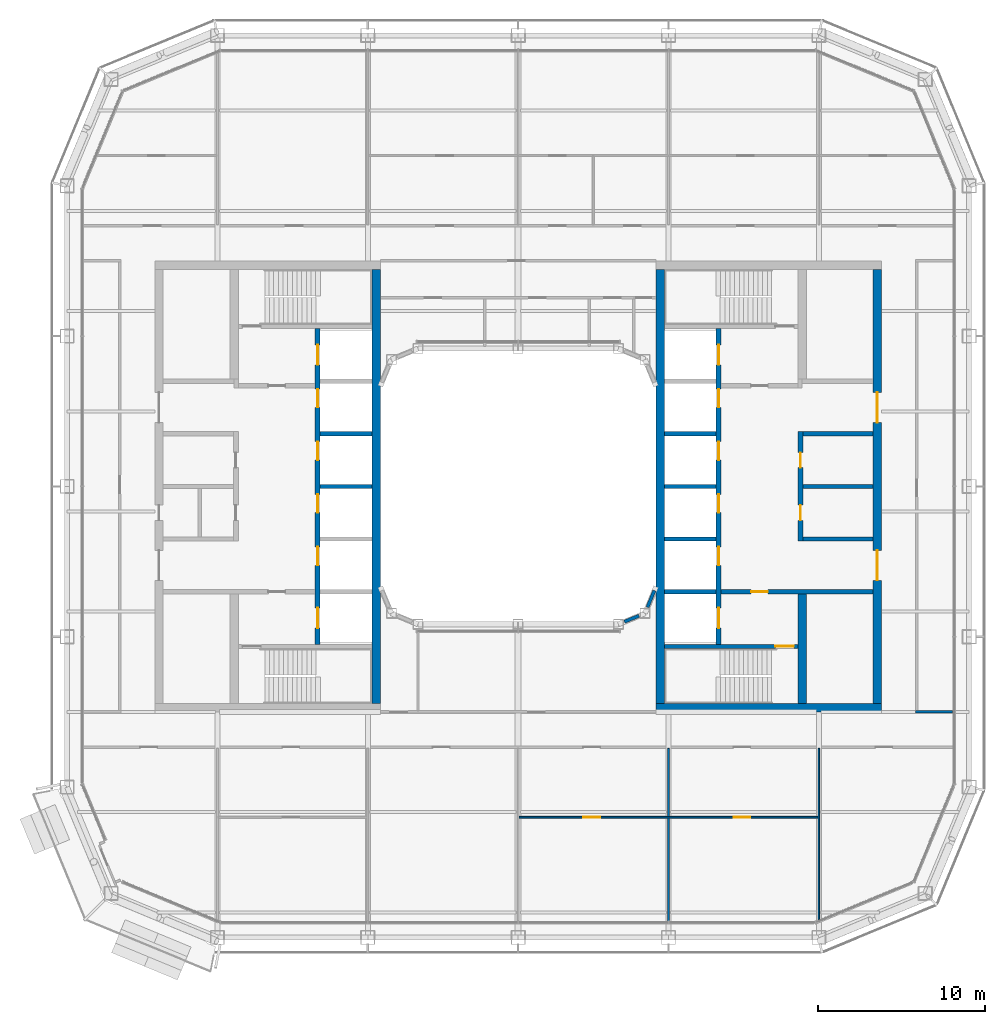
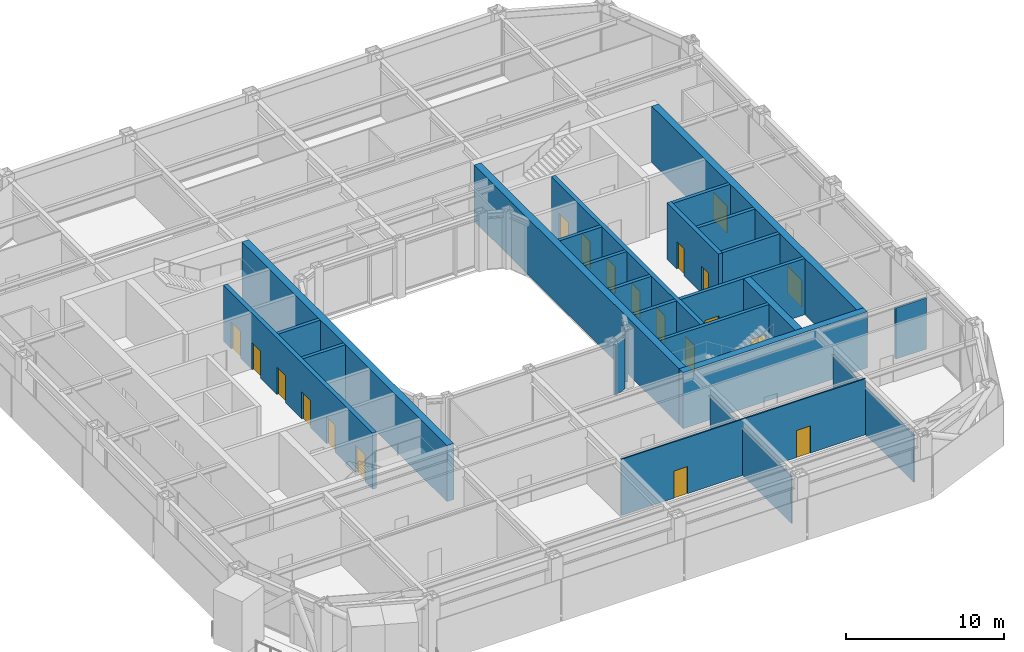
# One storey, part 14 of 23: 26 walls, 20 doors, 20 openings.
"""IFC4 building model written with IfcOpenShell, lengths in metres."""

from ifc_helpers import new_model, si_unit, direction, frame, frame_2d, origin, place, context, subcontext, project, spatial, rectangle, extrude, material, layer, layer_set, type_object, element, fill, save


model = new_model("IFC4")

# Units and contexts
model_context = context("Model", 3, precision=1e-05, world=origin(), true_north=direction((0.0, 1.0)))
body_context = subcontext(model_context, "Body", "Model", "MODEL_VIEW")
ifc_project = project(units=[si_unit("LENGTHUNIT", "METRE"), si_unit("AREAUNIT", "SQUARE_METRE"), si_unit("VOLUMEUNIT", "CUBIC_METRE"), si_unit("PLANEANGLEUNIT", "RADIAN"), si_unit("MASSUNIT", "GRAM", prefix="KILO")], contexts=[model_context])

# Site, building, storey
site_placement = place(None, origin())
site = spatial("IfcSite", under=ifc_project, at=site_placement, CompositionType="ELEMENT")
building_placement = place(site_placement, origin())
building = spatial("IfcBuilding", under=site, at=building_placement, Name="Siwar Civic Tower", CompositionType="ELEMENT")
storey_placement = place(building_placement, frame((0.0, 0.0, 197.199951171875)))
storey = spatial("IfcBuildingStorey", under=building, at=storey_placement, Name="L42", CompositionType="ELEMENT", Elevation=197.199951171875)

# Walls
ifc_material_1 = material(Name="Concrete C60/75", Category="concrete")
ifc_layer_1 = layer(ifc_material_1, 0.25)
ifc_layer_set_1 = layer_set([ifc_layer_1], Name="Concrete C60/75")
wall_type_1 = type_object("IfcWallType", Name="CORE-WALL-RC250", PredefinedType="SHEAR", material=ifc_layer_set_1)
for number, where, z_axis, x_axis, name in (
    (1, (-8.75, 0.0, 0.0), (0.0, 0.0, 1.0), (-1.0, 0.0, 0.0), "Core wall W"),
    (2, (-8.75, 3.14990234375, 0.0), (0.0, 0.0, 1.0), (-1.0, 0.0, 0.0), "Core wall W"),
):
    element("IfcWall", number, at=place(storey_placement, frame(where, z_axis=z_axis, x_axis=x_axis)), inside=storey, type_object=wall_type_1, Name=name, PredefinedType="SHEAR", context=body_context, shape_type="SweptSolid", body=[
        extrude(rectangle(XDim=3.10009765625, YDim=0.25, at=frame_2d((1.550048828125, 0.0))), origin(), (0.0, 0.0, 1.0), 4.35009765625),
    ])

# Wall, opening, door
wall_1_placement = place(storey_placement, frame((12.14990234375, -6.300048828125, 0.0), z_axis=(0.0, 0.0, 1.0), x_axis=(1.0, 0.0, 0.0)))
wall_1 = element("IfcWall", 3, at=wall_1_placement, inside=storey, type_object=wall_type_1, Name="Core wall E", PredefinedType="SHEAR", context=body_context, shape_type="SweptSolid", body=[
    extrude(rectangle(XDim=9.10009765625, YDim=0.25, at=frame_2d((4.550048828125, 0.0))), origin(), (0.0, 0.0, 1.0), 4.35009765625),
])
opening_1_placement = place(wall_1_placement, frame((1.800048828125, 0.0, 0.0)))
opening_1 = element("IfcOpeningElement", 4, at=opening_1_placement, cuts=wall_1, Name="Opening L42-CE02", PredefinedType="OPENING", context=body_context, shape_type="SweptSolid", body=[
    extrude(rectangle(XDim=1.0, YDim=2.10009765625, at=frame_2d((0.5, 1.050048828125))), frame((0.0, 0.135009765625, 0.0), z_axis=(0.0, -1.0, 0.0), x_axis=(1.0, 0.0, 0.0)), (0.0, 0.0, 1.0), 0.27001953125),
])
ifc_material_2 = material(Name="Steel door leaf", Category="steel")
door_type_1 = type_object("IfcDoorType", Name="CORE-DOOR-FD30S", OperationType="SINGLE_SWING_LEFT", PredefinedType="DOOR", material=ifc_material_2)
door_1_placement = place(opening_1_placement, origin())
door_1 = element("IfcDoor", 5, at=door_1_placement, inside=storey, type_object=door_type_1, Name="Service lobby door L42-CE02", OperationType="SINGLE_SWING_LEFT", OverallHeight=2.10009765625, OverallWidth=1.0, PredefinedType="DOOR", context=body_context, shape_type="SweptSolid", body=[
    extrude(rectangle(XDim=1.0, YDim=2.10009765625, at=frame_2d((0.5, 1.050048828125))), frame((0.0, 0.02490234375, 0.0), z_axis=(0.0, -1.0, 0.0), x_axis=(1.0, 0.0, 0.0)), (0.0, 0.0, 1.0), 0.050048828125),
])
fill(opening_1, door_1)

# Walls
for number, where, z_axis, x_axis, name in (
    (6, (17.050048828125, 0.0, 0.0), (0.0, 0.0, 1.0), (1.0, 0.0, 0.0), "Core wall E"),
    (7, (17.050048828125, 3.14990234375, 0.0), (0.0, 0.0, 1.0), (1.0, 0.0, 0.0), "Core wall E"),
    (8, (17.050048828125, -3.14990234375, 0.0), (0.0, 0.0, 1.0), (1.0, 0.0, 0.0), "Core wall E"),
):
    element("IfcWall", number, at=place(storey_placement, frame(where, z_axis=z_axis, x_axis=x_axis)), inside=storey, type_object=wall_type_1, Name=name, PredefinedType="SHEAR", context=body_context, shape_type="SweptSolid", body=[
        extrude(rectangle(XDim=4.199951171875, YDim=0.25, at=frame_2d((2.10009765625, 0.0))), origin(), (0.0, 0.0, 1.0), 4.35009765625),
    ])
for number, where, z_axis, x_axis, name in (
    (9, (8.75, 0.0, 0.0), (0.0, 0.0, 1.0), (1.0, 0.0, 0.0), "Core wall E"),
    (10, (8.75, 3.14990234375, 0.0), (0.0, 0.0, 1.0), (1.0, 0.0, 0.0), "Core wall E"),
    (11, (8.75, -3.14990234375, 0.0), (0.0, 0.0, 1.0), (1.0, 0.0, 0.0), "Core wall E"),
    (12, (8.75, -6.300048828125, 0.0), (0.0, 0.0, 1.0), (1.0, 0.0, 0.0), "Core wall E"),
):
    element("IfcWall", number, at=place(storey_placement, frame(where, z_axis=z_axis, x_axis=x_axis)), inside=storey, type_object=wall_type_1, Name=name, PredefinedType="SHEAR", context=body_context, shape_type="SweptSolid", body=[
        extrude(rectangle(XDim=3.10009765625, YDim=0.25, at=frame_2d((1.550048828125, 0.0))), origin(), (0.0, 0.0, 1.0), 4.35009765625),
    ])

# Wall, opening, door
wall_2_placement = place(storey_placement, frame((8.75, -9.574951171875, 0.0), z_axis=(0.0, 0.0, 1.0), x_axis=(1.0, 0.0, 0.0)))
wall_2 = element("IfcWall", 13, at=wall_2_placement, inside=storey, type_object=wall_type_1, Name="Core wall E", PredefinedType="SHEAR", context=body_context, shape_type="SweptSolid", body=[
    extrude(rectangle(XDim=8.0, YDim=0.25, at=frame_2d((4.0, 0.0))), origin(), (0.0, 0.0, 1.0), 4.35009765625),
])
opening_2_placement = place(wall_2_placement, frame((6.64990234375, 0.0, 0.0)))
opening_2 = element("IfcOpeningElement", 14, at=opening_2_placement, cuts=wall_2, Name="Opening L42-CE04", PredefinedType="OPENING", context=body_context, shape_type="SweptSolid", body=[
    extrude(rectangle(XDim=1.10009765625, YDim=2.10009765625, at=frame_2d((0.550048828125, 1.050048828125))), frame((0.0, 0.135009765625, 0.0), z_axis=(0.0, -1.0, 0.0), x_axis=(1.0, 0.0, 0.0)), (0.0, 0.0, 1.0), 0.27001953125),
])
ifc_material_3 = material(Name="Steel door leaf", Category="steel")
door_type_2 = type_object("IfcDoorType", Name="CORE-DOOR-FD60S", OperationType="SINGLE_SWING_LEFT", PredefinedType="DOOR", material=ifc_material_3)
door_2_placement = place(opening_2_placement, origin())
door_2 = element("IfcDoor", 15, at=door_2_placement, inside=storey, type_object=door_type_2, Name="Stair door L42-CE04", OperationType="SINGLE_SWING_RIGHT", OverallHeight=2.10009765625, OverallWidth=1.10009765625, PredefinedType="DOOR", context=body_context, shape_type="SweptSolid", body=[
    extrude(rectangle(XDim=1.10009765625, YDim=2.10009765625, at=frame_2d((0.550048828125, 1.050048828125))), frame((0.0, 0.02490234375, 0.0), z_axis=(0.0, -1.0, 0.0), x_axis=(1.0, 0.0, 0.0)), (0.0, 0.0, 1.0), 0.050048828125),
])
fill(opening_2, door_2)

# Wall, openings, doors
ifc_material_4 = material(Name="Concrete C60/75", Category="concrete")
ifc_layer_2 = layer(ifc_material_4, 0.300048828125)
ifc_layer_set_2 = layer_set([ifc_layer_2], Name="Concrete C60/75")
wall_type_2 = type_object("IfcWallType", Name="CORE-WALL-RC300", PredefinedType="SHEAR", material=ifc_layer_set_2)
wall_3_placement = place(storey_placement, frame((-12.0, -9.449951171875, 0.0), z_axis=(0.0, 0.0, 1.0), x_axis=(0.0, 1.0, 0.0)))
wall_3 = element("IfcWall", 16, at=wall_3_placement, inside=storey, type_object=wall_type_2, Name="Core wall W", PredefinedType="SHEAR", context=body_context, shape_type="SweptSolid", body=[
    extrude(rectangle(XDim=18.89990234375, YDim=0.300048828125, at=frame_2d((9.449951171875, 0.0))), origin(), (0.0, 0.0, 1.0), 4.35009765625),
])
opening_3_placement = place(wall_3_placement, frame((4.72509765625, 0.0, 0.0)))
opening_3 = element("IfcOpeningElement", 17, at=opening_3_placement, cuts=wall_3, Name="Opening L42-CW07", PredefinedType="OPENING", context=body_context, shape_type="SweptSolid", body=[
    extrude(rectangle(XDim=1.10009765625, YDim=2.10009765625, at=frame_2d((0.550048828125, 1.050048828125))), frame((0.0, 0.16015625, 0.0), z_axis=(0.0, -1.0, 0.0), x_axis=(1.0, 0.0, 0.0)), (0.0, 0.0, 1.0), 0.320068359375),
])
opening_4_placement = place(wall_3_placement, frame((7.875, 0.0, 0.0)))
opening_4 = element("IfcOpeningElement", 18, at=opening_4_placement, cuts=wall_3, Name="Opening L42-CW08", PredefinedType="OPENING", context=body_context, shape_type="SweptSolid", body=[
    extrude(rectangle(XDim=1.10009765625, YDim=2.10009765625, at=frame_2d((0.550048828125, 1.050048828125))), frame((0.0, 0.16015625, 0.0), z_axis=(0.0, -1.0, 0.0), x_axis=(1.0, 0.0, 0.0)), (0.0, 0.0, 1.0), 0.320068359375),
])
opening_5_placement = place(wall_3_placement, frame((11.02490234375, 0.0, 0.0)))
opening_5 = element("IfcOpeningElement", 19, at=opening_5_placement, cuts=wall_3, Name="Opening L42-CW09", PredefinedType="OPENING", context=body_context, shape_type="SweptSolid", body=[
    extrude(rectangle(XDim=1.10009765625, YDim=2.10009765625, at=frame_2d((0.550048828125, 1.050048828125))), frame((0.0, 0.16015625, 0.0), z_axis=(0.0, -1.0, 0.0), x_axis=(1.0, 0.0, 0.0)), (0.0, 0.0, 1.0), 0.320068359375),
])
opening_6_placement = place(wall_3_placement, frame((14.175048828125, 0.0, 0.0)))
opening_6 = element("IfcOpeningElement", 20, at=opening_6_placement, cuts=wall_3, Name="Opening L42-CW10", PredefinedType="OPENING", context=body_context, shape_type="SweptSolid", body=[
    extrude(rectangle(XDim=1.10009765625, YDim=2.10009765625, at=frame_2d((0.550048828125, 1.050048828125))), frame((0.0, 0.16015625, 0.0), z_axis=(0.0, -1.0, 0.0), x_axis=(1.0, 0.0, 0.0)), (0.0, 0.0, 1.0), 0.320068359375),
])
opening_7_placement = place(wall_3_placement, frame((16.72509765625, 0.0, 0.0)))
opening_7 = element("IfcOpeningElement", 21, at=opening_7_placement, cuts=wall_3, Name="Opening L42-CW11", PredefinedType="OPENING", context=body_context, shape_type="SweptSolid", body=[
    extrude(rectangle(XDim=1.199951171875, YDim=2.10009765625, at=frame_2d((0.60009765625, 1.050048828125))), frame((0.0, 0.16015625, 0.0), z_axis=(0.0, -1.0, 0.0), x_axis=(1.0, 0.0, 0.0)), (0.0, 0.0, 1.0), 0.320068359375),
])
opening_8_placement = place(wall_3_placement, frame((0.97509765625, 0.0, 0.0)))
opening_8 = element("IfcOpeningElement", 22, at=opening_8_placement, cuts=wall_3, Name="Opening L42-CW12", PredefinedType="OPENING", context=body_context, shape_type="SweptSolid", body=[
    extrude(rectangle(XDim=1.199951171875, YDim=2.10009765625, at=frame_2d((0.60009765625, 1.050048828125))), frame((0.0, 0.16015625, 0.0), z_axis=(0.0, -1.0, 0.0), x_axis=(1.0, 0.0, 0.0)), (0.0, 0.0, 1.0), 0.320068359375),
])
ifc_material_5 = material(Name="Steel door leaf", Category="steel")
door_type_3 = type_object("IfcDoorType", Name="CORE-DOOR-LD", OperationType="DOUBLE_DOOR_SLIDING", PredefinedType="DOOR", material=ifc_material_5)
door_3_placement = place(opening_3_placement, origin())
door_3 = element("IfcDoor", 23, at=door_3_placement, inside=storey, type_object=door_type_3, Name="Landing door HR1 L42-CW07", OperationType="DOUBLE_DOOR_SLIDING", OverallHeight=2.10009765625, OverallWidth=1.10009765625, PredefinedType="DOOR", context=body_context, shape_type="SweptSolid", body=[
    extrude(rectangle(XDim=1.10009765625, YDim=2.10009765625, at=frame_2d((0.550048828125, 1.050048828125))), frame((0.0, 0.02490234375, 0.0), z_axis=(0.0, -1.0, 0.0), x_axis=(1.0, 0.0, 0.0)), (0.0, 0.0, 1.0), 0.050048828125),
])
fill(opening_3, door_3)
door_4_placement = place(opening_4_placement, origin())
door_4 = element("IfcDoor", 24, at=door_4_placement, inside=storey, type_object=door_type_3, Name="Landing door HR2 L42-CW08", OperationType="DOUBLE_DOOR_SLIDING", OverallHeight=2.10009765625, OverallWidth=1.10009765625, PredefinedType="DOOR", context=body_context, shape_type="SweptSolid", body=[
    extrude(rectangle(XDim=1.10009765625, YDim=2.10009765625, at=frame_2d((0.550048828125, 1.050048828125))), frame((0.0, 0.02490234375, 0.0), z_axis=(0.0, -1.0, 0.0), x_axis=(1.0, 0.0, 0.0)), (0.0, 0.0, 1.0), 0.050048828125),
])
fill(opening_4, door_4)
door_5_placement = place(opening_5_placement, origin())
door_5 = element("IfcDoor", 25, at=door_5_placement, inside=storey, type_object=door_type_3, Name="Landing door HR3 L42-CW09", OperationType="DOUBLE_DOOR_SLIDING", OverallHeight=2.10009765625, OverallWidth=1.10009765625, PredefinedType="DOOR", context=body_context, shape_type="SweptSolid", body=[
    extrude(rectangle(XDim=1.10009765625, YDim=2.10009765625, at=frame_2d((0.550048828125, 1.050048828125))), frame((0.0, 0.02490234375, 0.0), z_axis=(0.0, -1.0, 0.0), x_axis=(1.0, 0.0, 0.0)), (0.0, 0.0, 1.0), 0.050048828125),
])
fill(opening_5, door_5)
door_6_placement = place(opening_6_placement, origin())
door_6 = element("IfcDoor", 26, at=door_6_placement, inside=storey, type_object=door_type_3, Name="Landing door HR4 L42-CW10", OperationType="DOUBLE_DOOR_SLIDING", OverallHeight=2.10009765625, OverallWidth=1.10009765625, PredefinedType="DOOR", context=body_context, shape_type="SweptSolid", body=[
    extrude(rectangle(XDim=1.10009765625, YDim=2.10009765625, at=frame_2d((0.550048828125, 1.050048828125))), frame((0.0, 0.02490234375, 0.0), z_axis=(0.0, -1.0, 0.0), x_axis=(1.0, 0.0, 0.0)), (0.0, 0.0, 1.0), 0.050048828125),
])
fill(opening_6, door_6)
ifc_material_6 = material(Name="Steel door leaf", Category="steel")
door_type_4 = type_object("IfcDoorType", Name="CORE-DOOR-LDW", OperationType="DOUBLE_DOOR_SLIDING", PredefinedType="DOOR", material=ifc_material_6)
door_7_placement = place(opening_7_placement, origin())
door_7 = element("IfcDoor", 27, at=door_7_placement, inside=storey, type_object=door_type_4, Name="Landing door FF1 L42-CW11", OperationType="DOUBLE_DOOR_SLIDING", OverallHeight=2.10009765625, OverallWidth=1.199951171875, PredefinedType="DOOR", context=body_context, shape_type="SweptSolid", body=[
    extrude(rectangle(XDim=1.199951171875, YDim=2.10009765625, at=frame_2d((0.60009765625, 1.050048828125))), frame((0.0, 0.02490234375, 0.0), z_axis=(0.0, -1.0, 0.0), x_axis=(1.0, 0.0, 0.0)), (0.0, 0.0, 1.0), 0.050048828125),
])
fill(opening_7, door_7)
door_8_placement = place(opening_8_placement, origin())
door_8 = element("IfcDoor", 28, at=door_8_placement, inside=storey, type_object=door_type_4, Name="Landing door SV1 L42-CW12", OperationType="DOUBLE_DOOR_SLIDING", OverallHeight=2.10009765625, OverallWidth=1.199951171875, PredefinedType="DOOR", context=body_context, shape_type="SweptSolid", body=[
    extrude(rectangle(XDim=1.199951171875, YDim=2.10009765625, at=frame_2d((0.60009765625, 1.050048828125))), frame((0.0, 0.02490234375, 0.0), z_axis=(0.0, -1.0, 0.0), x_axis=(1.0, 0.0, 0.0)), (0.0, 0.0, 1.0), 0.050048828125),
])
fill(opening_8, door_8)

wall_4_placement = place(storey_placement, frame((12.0, -9.449951171875, 0.0), z_axis=(0.0, 0.0, 1.0), x_axis=(0.0, 1.0, 0.0)))
wall_4 = element("IfcWall", 29, at=wall_4_placement, inside=storey, type_object=wall_type_2, Name="Core wall E", PredefinedType="SHEAR", context=body_context, shape_type="SweptSolid", body=[
    extrude(rectangle(XDim=18.89990234375, YDim=0.300048828125, at=frame_2d((9.449951171875, 0.0))), origin(), (0.0, 0.0, 1.0), 4.35009765625),
])
opening_9_placement = place(wall_4_placement, frame((4.72509765625, 0.0, 0.0)))
opening_9 = element("IfcOpeningElement", 30, at=opening_9_placement, cuts=wall_4, Name="Opening L42-CE07", PredefinedType="OPENING", context=body_context, shape_type="SweptSolid", body=[
    extrude(rectangle(XDim=1.10009765625, YDim=2.10009765625, at=frame_2d((0.550048828125, 1.050048828125))), frame((0.0, 0.16015625, 0.0), z_axis=(0.0, -1.0, 0.0), x_axis=(1.0, 0.0, 0.0)), (0.0, 0.0, 1.0), 0.320068359375),
])
opening_10_placement = place(wall_4_placement, frame((7.875, 0.0, 0.0)))
opening_10 = element("IfcOpeningElement", 31, at=opening_10_placement, cuts=wall_4, Name="Opening L42-CE08", PredefinedType="OPENING", context=body_context, shape_type="SweptSolid", body=[
    extrude(rectangle(XDim=1.10009765625, YDim=2.10009765625, at=frame_2d((0.550048828125, 1.050048828125))), frame((0.0, 0.16015625, 0.0), z_axis=(0.0, -1.0, 0.0), x_axis=(1.0, 0.0, 0.0)), (0.0, 0.0, 1.0), 0.320068359375),
])
opening_11_placement = place(wall_4_placement, frame((11.02490234375, 0.0, 0.0)))
opening_11 = element("IfcOpeningElement", 32, at=opening_11_placement, cuts=wall_4, Name="Opening L42-CE09", PredefinedType="OPENING", context=body_context, shape_type="SweptSolid", body=[
    extrude(rectangle(XDim=1.10009765625, YDim=2.10009765625, at=frame_2d((0.550048828125, 1.050048828125))), frame((0.0, 0.16015625, 0.0), z_axis=(0.0, -1.0, 0.0), x_axis=(1.0, 0.0, 0.0)), (0.0, 0.0, 1.0), 0.320068359375),
])
opening_12_placement = place(wall_4_placement, frame((14.175048828125, 0.0, 0.0)))
opening_12 = element("IfcOpeningElement", 33, at=opening_12_placement, cuts=wall_4, Name="Opening L42-CE10", PredefinedType="OPENING", context=body_context, shape_type="SweptSolid", body=[
    extrude(rectangle(XDim=1.10009765625, YDim=2.10009765625, at=frame_2d((0.550048828125, 1.050048828125))), frame((0.0, 0.16015625, 0.0), z_axis=(0.0, -1.0, 0.0), x_axis=(1.0, 0.0, 0.0)), (0.0, 0.0, 1.0), 0.320068359375),
])
opening_13_placement = place(wall_4_placement, frame((16.72509765625, 0.0, 0.0)))
opening_13 = element("IfcOpeningElement", 34, at=opening_13_placement, cuts=wall_4, Name="Opening L42-CE11", PredefinedType="OPENING", context=body_context, shape_type="SweptSolid", body=[
    extrude(rectangle(XDim=1.199951171875, YDim=2.10009765625, at=frame_2d((0.60009765625, 1.050048828125))), frame((0.0, 0.16015625, 0.0), z_axis=(0.0, -1.0, 0.0), x_axis=(1.0, 0.0, 0.0)), (0.0, 0.0, 1.0), 0.320068359375),
])
opening_14_placement = place(wall_4_placement, frame((0.97509765625, 0.0, 0.0)))
opening_14 = element("IfcOpeningElement", 35, at=opening_14_placement, cuts=wall_4, Name="Opening L42-CE12", PredefinedType="OPENING", context=body_context, shape_type="SweptSolid", body=[
    extrude(rectangle(XDim=1.199951171875, YDim=2.10009765625, at=frame_2d((0.60009765625, 1.050048828125))), frame((0.0, 0.16015625, 0.0), z_axis=(0.0, -1.0, 0.0), x_axis=(1.0, 0.0, 0.0)), (0.0, 0.0, 1.0), 0.320068359375),
])
door_9_placement = place(opening_9_placement, origin())
door_9 = element("IfcDoor", 36, at=door_9_placement, inside=storey, type_object=door_type_3, Name="Landing door HR5 L42-CE07", OperationType="DOUBLE_DOOR_SLIDING", OverallHeight=2.10009765625, OverallWidth=1.10009765625, PredefinedType="DOOR", context=body_context, shape_type="SweptSolid", body=[
    extrude(rectangle(XDim=1.10009765625, YDim=2.10009765625, at=frame_2d((0.550048828125, 1.050048828125))), frame((0.0, 0.02490234375, 0.0), z_axis=(0.0, -1.0, 0.0), x_axis=(1.0, 0.0, 0.0)), (0.0, 0.0, 1.0), 0.050048828125),
])
fill(opening_9, door_9)
door_10_placement = place(opening_10_placement, origin())
door_10 = element("IfcDoor", 37, at=door_10_placement, inside=storey, type_object=door_type_3, Name="Landing door HR6 L42-CE08", OperationType="DOUBLE_DOOR_SLIDING", OverallHeight=2.10009765625, OverallWidth=1.10009765625, PredefinedType="DOOR", context=body_context, shape_type="SweptSolid", body=[
    extrude(rectangle(XDim=1.10009765625, YDim=2.10009765625, at=frame_2d((0.550048828125, 1.050048828125))), frame((0.0, 0.02490234375, 0.0), z_axis=(0.0, -1.0, 0.0), x_axis=(1.0, 0.0, 0.0)), (0.0, 0.0, 1.0), 0.050048828125),
])
fill(opening_10, door_10)
door_11_placement = place(opening_11_placement, origin())
door_11 = element("IfcDoor", 38, at=door_11_placement, inside=storey, type_object=door_type_3, Name="Landing door HR7 L42-CE09", OperationType="DOUBLE_DOOR_SLIDING", OverallHeight=2.10009765625, OverallWidth=1.10009765625, PredefinedType="DOOR", context=body_context, shape_type="SweptSolid", body=[
    extrude(rectangle(XDim=1.10009765625, YDim=2.10009765625, at=frame_2d((0.550048828125, 1.050048828125))), frame((0.0, 0.02490234375, 0.0), z_axis=(0.0, -1.0, 0.0), x_axis=(1.0, 0.0, 0.0)), (0.0, 0.0, 1.0), 0.050048828125),
])
fill(opening_11, door_11)
door_12_placement = place(opening_12_placement, origin())
door_12 = element("IfcDoor", 39, at=door_12_placement, inside=storey, type_object=door_type_3, Name="Landing door HR8 L42-CE10", OperationType="DOUBLE_DOOR_SLIDING", OverallHeight=2.10009765625, OverallWidth=1.10009765625, PredefinedType="DOOR", context=body_context, shape_type="SweptSolid", body=[
    extrude(rectangle(XDim=1.10009765625, YDim=2.10009765625, at=frame_2d((0.550048828125, 1.050048828125))), frame((0.0, 0.02490234375, 0.0), z_axis=(0.0, -1.0, 0.0), x_axis=(1.0, 0.0, 0.0)), (0.0, 0.0, 1.0), 0.050048828125),
])
fill(opening_12, door_12)
door_13_placement = place(opening_13_placement, origin())
door_13 = element("IfcDoor", 40, at=door_13_placement, inside=storey, type_object=door_type_4, Name="Landing door FF2 L42-CE11", OperationType="DOUBLE_DOOR_SLIDING", OverallHeight=2.10009765625, OverallWidth=1.199951171875, PredefinedType="DOOR", context=body_context, shape_type="SweptSolid", body=[
    extrude(rectangle(XDim=1.199951171875, YDim=2.10009765625, at=frame_2d((0.60009765625, 1.050048828125))), frame((0.0, 0.02490234375, 0.0), z_axis=(0.0, -1.0, 0.0), x_axis=(1.0, 0.0, 0.0)), (0.0, 0.0, 1.0), 0.050048828125),
])
fill(opening_13, door_13)
door_14_placement = place(opening_14_placement, origin())
door_14 = element("IfcDoor", 41, at=door_14_placement, inside=storey, type_object=door_type_4, Name="Landing door SV2 L42-CE12", OperationType="DOUBLE_DOOR_SLIDING", OverallHeight=2.10009765625, OverallWidth=1.199951171875, PredefinedType="DOOR", context=body_context, shape_type="SweptSolid", body=[
    extrude(rectangle(XDim=1.199951171875, YDim=2.10009765625, at=frame_2d((0.60009765625, 1.050048828125))), frame((0.0, 0.02490234375, 0.0), z_axis=(0.0, -1.0, 0.0), x_axis=(1.0, 0.0, 0.0)), (0.0, 0.0, 1.0), 0.050048828125),
])
fill(opening_14, door_14)

wall_5_placement = place(storey_placement, frame((16.89990234375, -3.27490234375, 0.0), z_axis=(0.0, 0.0, 1.0), x_axis=(0.0, 1.0, 0.0)))
wall_5 = element("IfcWall", 42, at=wall_5_placement, inside=storey, type_object=wall_type_2, Name="Core wall E", PredefinedType="SHEAR", context=body_context, shape_type="SweptSolid", body=[
    extrude(rectangle(XDim=6.5498046875, YDim=0.300048828125, at=frame_2d((3.27490234375, 0.0))), origin(), (0.0, 0.0, 1.0), 4.35009765625),
])
opening_15_placement = place(wall_5_placement, frame((1.25, 0.0, 0.0)))
opening_15 = element("IfcOpeningElement", 43, at=opening_15_placement, cuts=wall_5, Name="Opening L42-CE13", PredefinedType="OPENING", context=body_context, shape_type="SweptSolid", body=[
    extrude(rectangle(XDim=0.89990234375, YDim=2.10009765625, at=frame_2d((0.449951171875, 1.050048828125))), frame((0.0, 0.16015625, 0.0), z_axis=(0.0, -1.0, 0.0), x_axis=(1.0, 0.0, 0.0)), (0.0, 0.0, 1.0), 0.320068359375),
])
opening_16_placement = place(wall_5_placement, frame((4.39990234375, 0.0, 0.0)))
opening_16 = element("IfcOpeningElement", 44, at=opening_16_placement, cuts=wall_5, Name="Opening L42-CE14", PredefinedType="OPENING", context=body_context, shape_type="SweptSolid", body=[
    extrude(rectangle(XDim=0.89990234375, YDim=2.10009765625, at=frame_2d((0.449951171875, 1.050048828125))), frame((0.0, 0.16015625, 0.0), z_axis=(0.0, -1.0, 0.0), x_axis=(1.0, 0.0, 0.0)), (0.0, 0.0, 1.0), 0.320068359375),
])
ifc_material_7 = material(Name="Steel door leaf", Category="steel")
door_type_5 = type_object("IfcDoorType", Name="CORE-DOOR-ROOM", OperationType="SINGLE_SWING_LEFT", PredefinedType="DOOR", material=ifc_material_7)
door_15_placement = place(opening_15_placement, origin())
door_15 = element("IfcDoor", 45, at=door_15_placement, inside=storey, type_object=door_type_5, Name="Core room door L42-CE13", OperationType="SINGLE_SWING_RIGHT", OverallHeight=2.10009765625, OverallWidth=0.89990234375, PredefinedType="DOOR", context=body_context, shape_type="SweptSolid", body=[
    extrude(rectangle(XDim=0.89990234375, YDim=2.10009765625, at=frame_2d((0.449951171875, 1.050048828125))), frame((0.0, 0.02490234375, 0.0), z_axis=(0.0, -1.0, 0.0), x_axis=(1.0, 0.0, 0.0)), (0.0, 0.0, 1.0), 0.050048828125),
])
fill(opening_15, door_15)
door_16_placement = place(opening_16_placement, origin())
door_16 = element("IfcDoor", 46, at=door_16_placement, inside=storey, type_object=door_type_5, Name="Core room door L42-CE14", OperationType="SINGLE_SWING_LEFT", OverallHeight=2.10009765625, OverallWidth=0.89990234375, PredefinedType="DOOR", context=body_context, shape_type="SweptSolid", body=[
    extrude(rectangle(XDim=0.89990234375, YDim=2.10009765625, at=frame_2d((0.449951171875, 1.050048828125))), frame((0.0, 0.02490234375, 0.0), z_axis=(0.0, -1.0, 0.0), x_axis=(1.0, 0.0, 0.0)), (0.0, 0.0, 1.0), 0.050048828125),
])
fill(opening_16, door_16)

ifc_material_8 = material(Name="Concrete C60/75", Category="concrete")
ifc_layer_3 = layer(ifc_material_8, 0.5)
ifc_layer_set_3 = layer_set([ifc_layer_3], Name="Concrete C60/75")
wall_type_3 = type_object("IfcWallType", Name="CORE-WALL-RC500", PredefinedType="SHEAR", material=ifc_layer_set_3)
wall_6_placement = place(storey_placement, frame((21.5, -13.0, 0.0), z_axis=(0.0, 0.0, 1.0), x_axis=(0.0, 1.0, 0.0)))
wall_6 = element("IfcWall", 47, at=wall_6_placement, inside=storey, type_object=wall_type_3, Name="Core wall E", PredefinedType="SHEAR", context=body_context, shape_type="SweptSolid", body=[
    extrude(rectangle(XDim=26.0, YDim=0.5, at=frame_2d((13.0, 0.0))), origin(), (0.0, 0.0, 1.0), 4.35009765625),
])
opening_17_placement = place(wall_6_placement, frame((16.824951171875, 0.0, 0.0)))
opening_17 = element("IfcOpeningElement", 48, at=opening_17_placement, cuts=wall_6, Name="Opening L42-CE05", PredefinedType="OPENING", context=body_context, shape_type="SweptSolid", body=[
    extrude(rectangle(XDim=1.800048828125, YDim=2.10009765625, at=frame_2d((0.89990234375, 1.050048828125))), frame((0.0, 0.260009765625, 0.0), z_axis=(0.0, -1.0, 0.0), x_axis=(1.0, 0.0, 0.0)), (0.0, 0.0, 1.0), 0.52001953125),
])
opening_18_placement = place(wall_6_placement, frame((7.375, 0.0, 0.0)))
opening_18 = element("IfcOpeningElement", 49, at=opening_18_placement, cuts=wall_6, Name="Opening L42-CE06", PredefinedType="OPENING", context=body_context, shape_type="SweptSolid", body=[
    extrude(rectangle(XDim=1.800048828125, YDim=2.10009765625, at=frame_2d((0.89990234375, 1.050048828125))), frame((0.0, 0.260009765625, 0.0), z_axis=(0.0, -1.0, 0.0), x_axis=(1.0, 0.0, 0.0)), (0.0, 0.0, 1.0), 0.52001953125),
])
ifc_material_9 = material(Name="Steel door leaf", Category="steel")
door_type_6 = type_object("IfcDoorType", Name="CORE-DOOR-PORT", OperationType="DOUBLE_DOOR_DOUBLE_SWING", PredefinedType="DOOR", material=ifc_material_9)
door_17_placement = place(opening_17_placement, origin())
door_17 = element("IfcDoor", 50, at=door_17_placement, inside=storey, type_object=door_type_6, Name="Core entrance door L42-CE05", OperationType="DOUBLE_DOOR_DOUBLE_SWING", OverallHeight=2.10009765625, OverallWidth=1.800048828125, PredefinedType="DOOR", context=body_context, shape_type="SweptSolid", body=[
    extrude(rectangle(XDim=1.800048828125, YDim=2.10009765625, at=frame_2d((0.89990234375, 1.050048828125))), frame((0.0, 0.02490234375, 0.0), z_axis=(0.0, -1.0, 0.0), x_axis=(1.0, 0.0, 0.0)), (0.0, 0.0, 1.0), 0.050048828125),
])
fill(opening_17, door_17)
door_18_placement = place(opening_18_placement, origin())
door_18 = element("IfcDoor", 51, at=door_18_placement, inside=storey, type_object=door_type_6, Name="Core entrance door L42-CE06", OperationType="DOUBLE_DOOR_DOUBLE_SWING", OverallHeight=2.10009765625, OverallWidth=1.800048828125, PredefinedType="DOOR", context=body_context, shape_type="SweptSolid", body=[
    extrude(rectangle(XDim=1.800048828125, YDim=2.10009765625, at=frame_2d((0.89990234375, 1.050048828125))), frame((0.0, 0.02490234375, 0.0), z_axis=(0.0, -1.0, 0.0), x_axis=(1.0, 0.0, 0.0)), (0.0, 0.0, 1.0), 0.050048828125),
])
fill(opening_18, door_18)

# Walls
wall_7_placement = place(storey_placement, frame((17.0, -13.0, 0.0), z_axis=(0.0, 0.0, 1.0), x_axis=(0.0, 1.0, 0.0)))
element("IfcWall", 52, at=wall_7_placement, inside=storey, type_object=wall_type_3, Name="Core wall E", PredefinedType="SHEAR", context=body_context, shape_type="SweptSolid", body=[
    extrude(rectangle(XDim=6.574951171875, YDim=0.5, at=frame_2d((3.28759765625, 0.0))), origin(), (0.0, 0.0, 1.0), 4.35009765625),
])
wall_8_placement = place(storey_placement, frame((8.25, -13.25, 0.0), z_axis=(0.0, 0.0, 1.0), x_axis=(1.0, 0.0, 0.0)))
element("IfcWall", 53, at=wall_8_placement, inside=storey, type_object=wall_type_3, Name="Core wall E", PredefinedType="SHEAR", context=body_context, shape_type="SweptSolid", body=[
    extrude(rectangle(XDim=13.5, YDim=0.5, at=frame_2d((6.75, 0.0))), origin(), (0.0, 0.0, 1.0), 4.35009765625),
])
ifc_material_10 = material(Name="Concrete C60/75", Category="concrete")
ifc_layer_4 = layer(ifc_material_10, 0.5)
ifc_layer_set_4 = layer_set([ifc_layer_4], Name="Concrete C60/75")
wall_type_4 = type_object("IfcWallType", Name="CORE-WALL-RC500-EXT", PredefinedType="SHEAR", material=ifc_layer_set_4)
for number, where, z_axis, x_axis, name in (
    (54, (-8.5, -13.0, 0.0), (0.0, 0.0, 1.0), (0.0, 1.0, 0.0), "Core wall W"),
    (55, (8.5, -13.0, 0.0), (0.0, 0.0, 1.0), (0.0, 1.0, 0.0), "Core wall E"),
):
    element("IfcWall", number, at=place(storey_placement, frame(where, z_axis=z_axis, x_axis=x_axis)), inside=storey, type_object=wall_type_4, Name=name, PredefinedType="SHEAR", context=body_context, shape_type="SweptSolid", body=[
        extrude(rectangle(XDim=26.0, YDim=0.5, at=frame_2d((13.0, 0.0))), origin(), (0.0, 0.0, 1.0), 4.35009765625),
    ])
ifc_material_11 = material(Name="Gypsum board on steel studs", Category="steel")
ifc_layer_5 = layer(ifc_material_11, 0.14990234375)
ifc_layer_set_5 = layer_set([ifc_layer_5], Name="Gypsum board on steel studs")
wall_type_5 = type_object("IfcWallType", Name="CORRIDOR PARTITION 150 EI 30", PredefinedType="PARTITIONING", material=ifc_layer_set_5)
wall_9_placement = place(storey_placement, frame((23.77490234375, -13.5, 0.0), z_axis=(0.0, 0.0, 1.0), x_axis=(1.0, 0.0, 0.0)))
element("IfcWall", 56, at=wall_9_placement, inside=storey, type_object=wall_type_5, Name="L42/wall/P06", PredefinedType="PARTITIONING", context=body_context, shape_type="SweptSolid", body=[
    extrude(rectangle(XDim=2.235107421875, YDim=0.14990234375, at=frame_2d((1.11767578125, 0.0))), origin(), (0.0, 0.0, 1.0), 3.949951171875),
])
ifc_material_12 = material(Name="Aluminium clad insulated panel", Category="aluminium")
ifc_layer_6 = layer(ifc_material_12, 0.199951171875)
ifc_layer_set_6 = layer_set([ifc_layer_6], Name="Aluminium clad insulated panel")
wall_type_6 = type_object("IfcWallType", Name="ENV-WALL-WELL", PredefinedType="STANDARD", material=ifc_layer_set_6)
wall_10_placement = place(storey_placement, frame((6.362060546875, -8.10009765625, 0.0), z_axis=(0.0, 0.0, 1.0), x_axis=(0.923829670615, 0.382803787458, 0.0)))
element("IfcWall", 57, at=wall_10_placement, inside=storey, type_object=wall_type_6, Name="Light well corner wall SE1", PredefinedType="STANDARD", context=body_context, shape_type="SweptSolid", body=[
    extrude(rectangle(XDim=0.938232421875, YDim=0.199951171875, at=frame_2d((0.46923828125, 0.0))), origin(), (0.0, 0.0, 1.0), 3.91796875),
])
wall_11_placement = place(storey_placement, frame((7.740966796875, -7.228759765625, 0.0), z_axis=(0.0, 0.0, 1.0), x_axis=(0.382704496366, 0.923870807235, 0.0)))
element("IfcWall", 58, at=wall_11_placement, inside=storey, type_object=wall_type_6, Name="Light well corner wall SE2", PredefinedType="STANDARD", context=body_context, shape_type="SweptSolid", body=[
    extrude(rectangle(XDim=1.080078125, YDim=0.199951171875, at=frame_2d((0.5400390625, 0.0))), origin(), (0.0, 0.0, 1.0), 3.91796875),
])

# Wall, openings, doors
ifc_material_13 = material(Name="Gypsum board on steel studs", Category="steel")
ifc_layer_7 = layer(ifc_material_13, 0.10009765625)
ifc_layer_set_7 = layer_set([ifc_layer_7], Name="Gypsum board on steel studs")
wall_type_7 = type_object("IfcWallType", Name="PARTITION 100 GYPSUM", PredefinedType="PARTITIONING", material=ifc_layer_set_7)
wall_12_placement = place(storey_placement, frame((0.050048828125, -19.800048828125, 0.0), z_axis=(0.0, 0.0, 1.0), x_axis=(1.0, 0.0, 0.0)))
wall_12 = element("IfcWall", 59, at=wall_12_placement, inside=storey, type_object=wall_type_7, Name="L42/wall/P02", PredefinedType="PARTITIONING", context=body_context, shape_type="SweptSolid", body=[
    extrude(rectangle(XDim=17.89990234375, YDim=0.10009765625, at=frame_2d((8.949951171875, 0.0))), origin(), (0.0, 0.0, 1.0), 4.35009765625),
])
opening_19_placement = place(wall_12_placement, frame((3.85009765625, 0.0, 0.0)))
opening_19 = element("IfcOpeningElement", 60, at=opening_19_placement, cuts=wall_12, Name="Opening D2", PredefinedType="OPENING", context=body_context, shape_type="SweptSolid", body=[
    extrude(rectangle(XDim=1.0, YDim=2.10009765625, at=frame_2d((0.5, 1.050048828125))), frame((0.0, 0.06005859375, 0.0), z_axis=(0.0, -1.0, 0.0), x_axis=(1.0, 0.0, 0.0)), (0.0, 0.0, 1.0), 0.1201171875),
])
opening_20_placement = place(wall_12_placement, frame((12.85009765625, 0.0, 0.0)))
opening_20 = element("IfcOpeningElement", 61, at=opening_20_placement, cuts=wall_12, Name="Opening D2", PredefinedType="OPENING", context=body_context, shape_type="SweptSolid", body=[
    extrude(rectangle(XDim=1.0, YDim=2.10009765625, at=frame_2d((0.5, 1.050048828125))), frame((0.0, 0.06005859375, 0.0), z_axis=(0.0, -1.0, 0.0), x_axis=(1.0, 0.0, 0.0)), (0.0, 0.0, 1.0), 0.1201171875),
])
ifc_material_14 = material(Name="Timber, painted", Category="wood")
door_type_7 = type_object("IfcDoorType", Name="DOOR 1000 X 2100", OperationType="SINGLE_SWING_LEFT", PredefinedType="DOOR", material=ifc_material_14)
door_19_placement = place(opening_19_placement, origin())
door_19 = element("IfcDoor", 62, at=door_19_placement, inside=storey, type_object=door_type_7, Name="L42-D13", OperationType="SINGLE_SWING_LEFT", OverallHeight=2.10009765625, OverallWidth=1.0, PredefinedType="DOOR", context=body_context, shape_type="SweptSolid", body=[
    extrude(rectangle(XDim=1.0, YDim=2.10009765625, at=frame_2d((0.5, 1.050048828125))), frame((0.0, 0.02490234375, 0.0), z_axis=(0.0, -1.0, 0.0), x_axis=(1.0, 0.0, 0.0)), (0.0, 0.0, 1.0), 0.050048828125),
])
fill(opening_19, door_19)
door_20_placement = place(opening_20_placement, origin())
door_20 = element("IfcDoor", 63, at=door_20_placement, inside=storey, type_object=door_type_7, Name="L42-D15", OperationType="SINGLE_SWING_LEFT", OverallHeight=2.10009765625, OverallWidth=1.0, PredefinedType="DOOR", context=body_context, shape_type="SweptSolid", body=[
    extrude(rectangle(XDim=1.0, YDim=2.10009765625, at=frame_2d((0.5, 1.050048828125))), frame((0.0, 0.02490234375, 0.0), z_axis=(0.0, -1.0, 0.0), x_axis=(1.0, 0.0, 0.0)), (0.0, 0.0, 1.0), 0.050048828125),
])
fill(opening_20, door_20)

# Walls
wall_13_placement = place(storey_placement, frame((9.0, -26.010009765625, 0.0), z_axis=(0.0, 0.0, 1.0), x_axis=(0.0, 1.0, 0.0)))
element("IfcWall", 64, at=wall_13_placement, inside=storey, type_object=wall_type_7, Name="L42/wall/P28", PredefinedType="PARTITIONING", context=body_context, shape_type="SweptSolid", body=[
    extrude(rectangle(XDim=6.159912109375, YDim=0.10009765625, at=frame_2d((3.080078125, 0.0))), origin(), (0.0, 0.0, 1.0), 3.650146484375),
])
wall_14_placement = place(storey_placement, frame((9.0, -19.75, 0.0), z_axis=(0.0, 0.0, 1.0), x_axis=(0.0, 1.0, 0.0)))
element("IfcWall", 65, at=wall_14_placement, inside=storey, type_object=wall_type_7, Name="L42/wall/P29", PredefinedType="PARTITIONING", context=body_context, shape_type="SweptSolid", body=[
    extrude(rectangle(XDim=4.074951171875, YDim=0.10009765625, at=frame_2d((2.03759765625, 0.0))), origin(), (0.0, 0.0, 1.0), 3.650146484375),
])
wall_15_placement = place(storey_placement, frame((18.0, -25.927978515625, 0.0), z_axis=(0.0, 0.0, 1.0), x_axis=(0.0, 1.0, 0.0)))
element("IfcWall", 66, at=wall_15_placement, inside=storey, type_object=wall_type_7, Name="L42/wall/P32", PredefinedType="PARTITIONING", context=body_context, shape_type="SweptSolid", body=[
    extrude(rectangle(XDim=10.2529296875, YDim=0.10009765625, at=frame_2d((5.12646484375, 0.0))), origin(), (0.0, 0.0, 1.0), 3.650146484375),
])

save(model, "model.ifc")
